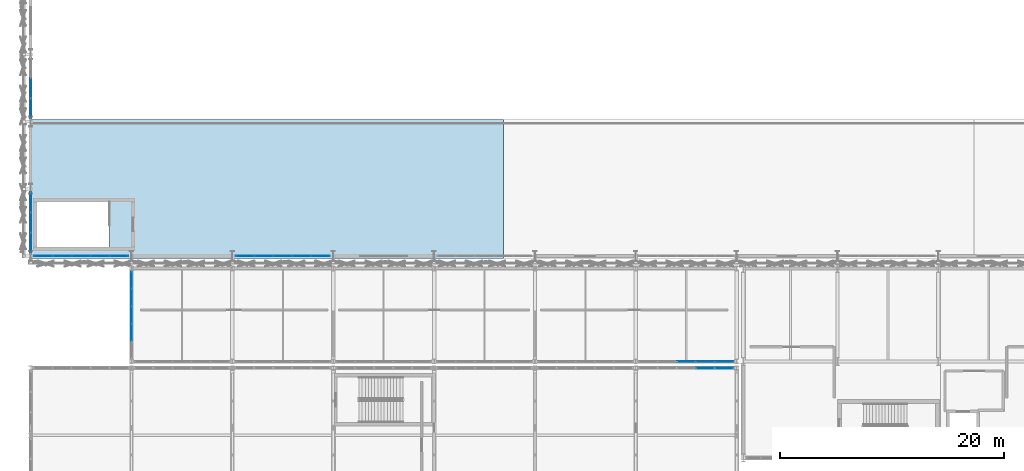
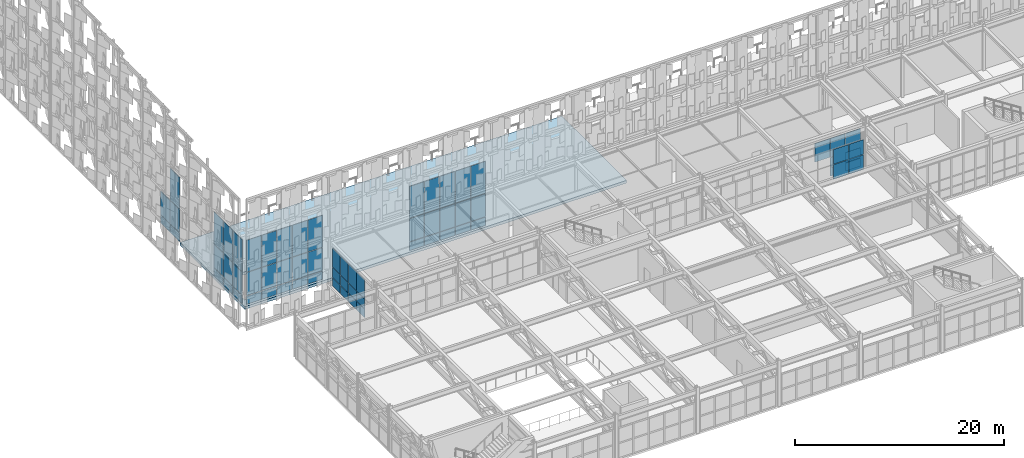
# One storey, part 135 of 210: 67 plates, 2 slabs, 7 elements without a shape of their own.
"""IFC4 building model written with IfcOpenShell, lengths in metres."""

import ifcopenshell
import ifcopenshell.guid

model = None  # the IFC model being written
_history = None  # IfcOwnerHistory: only IFC2X3 demands one
_inside = {}  # id of a spatial element -> (the spatial element, [elements in it])
_under = {}  # id of a project, library or spatial element -> (it, [spatial elements below it])
_declared = {}  # id of a project -> (the project, [libraries it declares])
_typed = {}  # id of a type object -> (the type object, [elements of that type])
_made_of = {}  # id of a material, layer set ... -> (it, [elements and type objects made of it])


def new_model(schema):
    """Start an empty IFC model of exactly this schema.

    Asked for "IFC4X3", IfcOpenShell would pick the latest addendum, in which some entities
    have other attributes; the version numbers below select the first issue.
    IFC2X3 requires an IfcOwnerHistory on every rooted entity: one is made here for all.
    """
    global model, _history
    if schema == "IFC4X3":
        model = ifcopenshell.file(schema_version=(4, 3, 0, 0))
    else:
        model = ifcopenshell.file(schema=schema)
    _inside.clear()
    _under.clear()
    _declared.clear()
    _typed.clear()
    _made_of.clear()
    _history = None
    if model.schema == "IFC2X3":
        org = make("IfcOrganization", Name="unknown")
        user = make(
            "IfcPersonAndOrganization",
            ThePerson=make("IfcPerson", FamilyName="unknown"),
            TheOrganization=org,
        )
        app = make(
            "IfcApplication",
            ApplicationDeveloper=org,
            Version="unknown",
            ApplicationFullName="unknown",
            ApplicationIdentifier="unknown",
        )
        _history = make(
            "IfcOwnerHistory",
            OwningUser=user,
            OwningApplication=app,
            ChangeAction="ADDED",
            CreationDate=0,
        )
    return model


def make(cls, **values):
    """One entity of the class cls with the attributes given. An attribute that is None is left unset."""
    return model.create_entity(
        cls, **{name: value for name, value in values.items() if value is not None}
    )


def rooted(cls, **values):
    """An entity with a GlobalId (a new one), such as an element, a storey or a relation."""
    return make(cls, GlobalId=ifcopenshell.guid.new(), OwnerHistory=_history, **values)


def si_unit(unit_type, name, prefix=None):
    """IfcSIUnit, for example si_unit("LENGTHUNIT", "METRE", prefix="MILLI")."""
    return make("IfcSIUnit", UnitType=unit_type, Prefix=prefix, Name=name)


def assignment(units):
    """IfcUnitAssignment: the units of a project."""
    return None if units is None else make("IfcUnitAssignment", Units=units)


def point(xyz):
    """IfcCartesianPoint."""
    return None if xyz is None else make("IfcCartesianPoint", Coordinates=xyz)


def direction(xyz):
    """IfcDirection."""
    return None if xyz is None else make("IfcDirection", DirectionRatios=xyz)


def frame(location, z_axis=None, x_axis=None):
    """IfcAxis2Placement3D, a coordinate frame: its origin and axes. An axis left out is left unset."""
    return make(
        "IfcAxis2Placement3D",
        Location=point(location),
        Axis=direction(z_axis),
        RefDirection=direction(x_axis),
    )


def frame_2d(location, x_axis=None):
    """IfcAxis2Placement2D, a coordinate frame in the plane: its origin and x axis."""
    return make(
        "IfcAxis2Placement2D", Location=point(location), RefDirection=direction(x_axis)
    )


def origin():
    """The frame at (0, 0, 0) with its axes left unset."""
    return frame((0.0, 0.0, 0.0))


def origin_2d():
    """The frame at (0, 0) in the plane with its x axis left unset."""
    return frame_2d((0.0, 0.0))


def place(relative_to, where):
    """IfcLocalPlacement: puts the frame where relative to a parent placement (None: the world)."""
    return make(
        "IfcLocalPlacement", PlacementRelTo=relative_to, RelativePlacement=where
    )


def context(
    kind, dimensions, precision=None, world=None, true_north=None, identifier=None
):
    """IfcGeometricRepresentationContext, for example the 3D "Model" context."""
    return make(
        "IfcGeometricRepresentationContext",
        ContextIdentifier=identifier,
        ContextType=kind,
        CoordinateSpaceDimension=dimensions,
        Precision=precision,
        WorldCoordinateSystem=world,
        TrueNorth=true_north,
    )


def subcontext(parent, identifier, kind, view, scale=None):
    """IfcGeometricRepresentationSubContext, for example "Body" below "Model"."""
    return make(
        "IfcGeometricRepresentationSubContext",
        ContextIdentifier=identifier,
        ContextType=kind,
        ParentContext=parent,
        TargetScale=scale,
        TargetView=view,
    )


def project(units=None, contexts=None):
    """IfcProject with its units and contexts."""
    return rooted(
        "IfcProject",
        Name="project",
        RepresentationContexts=contexts,
        UnitsInContext=assignment(units),
    )


def spatial(cls, under=None, at=None, **own):
    """A site, building, storey or space (cls), placed at a placement, below another one or the project."""
    s = rooted(cls, ObjectPlacement=at, **own)
    if under is not None:
        _under.setdefault(under.id(), (under, []))[1].append(s)
    return s


def polyline(points):
    """IfcPolyline through the points."""
    return make("IfcPolyline", Points=[point(p) for p in points])


def profile(cls, at=None, kind="AREA", **sizes):
    """A parametric profile (cls). Its sizes go by their IFC names, for example OverallWidth=200.0."""
    return make(cls, ProfileType=kind, Position=at, **sizes)


def rectangle(**sizes):
    """IfcRectangleProfileDef."""
    return profile("IfcRectangleProfileDef", **sizes)


def outline(outer, holes=None, kind="AREA"):
    """IfcArbitraryClosedProfileDef: a profile drawn as a closed curve; with holes, ...WithVoids."""
    if holes is None:
        return make("IfcArbitraryClosedProfileDef", ProfileType=kind, OuterCurve=outer)
    return make(
        "IfcArbitraryProfileDefWithVoids",
        ProfileType=kind,
        OuterCurve=outer,
        InnerCurves=holes,
    )


def extrude(swept, where, along, depth):
    """IfcExtrudedAreaSolid: the profile swept, set in the frame where, extruded along a direction by depth."""
    return make(
        "IfcExtrudedAreaSolid",
        SweptArea=swept,
        Position=where,
        ExtrudedDirection=direction(along),
        Depth=depth,
    )


def shape(context_of_items, identifier, shape_type, items):
    """IfcShapeRepresentation: the items that make up one representation, for example the "Body"."""
    return make(
        "IfcShapeRepresentation",
        ContextOfItems=context_of_items,
        RepresentationIdentifier=identifier,
        RepresentationType=shape_type,
        Items=items,
    )


def material(Name=None, Category=None):
    """IfcMaterial."""
    return make("IfcMaterial", Name=Name, Category=Category)


def layer(
    of_material, thickness, ventilated=None, Name=None, Category=None, Priority=None
):
    """IfcMaterialLayer: one layer of a wall or slab, of a material (None: an air gap)."""
    return make(
        "IfcMaterialLayer",
        Material=of_material,
        LayerThickness=thickness,
        IsVentilated=ventilated,
        Name=Name,
        Category=Category,
        Priority=Priority,
    )


def layer_set(layers, Name=None):
    """IfcMaterialLayerSet."""
    return make("IfcMaterialLayerSet", MaterialLayers=layers, LayerSetName=Name)


def made_of(thing, what):
    """Note that an element or type object is made of a material, layer set ...; save() writes the relation."""
    if what is not None:
        _made_of.setdefault(what.id(), (what, []))[1].append(thing)
    return thing


def type_object(cls, material=None, **own):
    """A type object (cls), such as IfcWallType, which elements share."""
    return made_of(rooted(cls, **own), material)


def element(
    cls,
    number,
    at=None,
    inside=None,
    cuts=None,
    type_object=None,
    material=None,
    context=None,
    identifier="Body",
    shape_type=None,
    held_by="IfcProductDefinitionShape",
    body=None,
    shapes=None,
    **own,
):
    """One element of the class cls, such as IfcWall. Its Tag is "e" and its number.

    at: its placement. inside: the storey or other place that contains it. cuts: it is an
    opening in that element (IfcRelVoidsElement). A single representation is given by context,
    identifier, shape_type and body (its items); several are given by shapes. held_by: the class
    of the entity that holds the representations. save() writes the other relations.
    """
    e = rooted(cls, Tag="e%d" % number, ObjectPlacement=at, **own)
    if body is not None:
        shapes = [shape(context, identifier, shape_type, body)]
    if shapes is not None:
        e.Representation = make(held_by, Representations=shapes)
    if inside is not None:
        _inside.setdefault(inside.id(), (inside, []))[1].append(e)
    if cuts is not None:
        rooted(
            "IfcRelVoidsElement", RelatingBuildingElement=cuts, RelatedOpeningElement=e
        )
    if type_object is not None:
        _typed.setdefault(type_object.id(), (type_object, []))[1].append(e)
    return made_of(e, material)


def aggregate(whole, parts):
    """IfcRelAggregates: a whole, such as a stair, and the parts it consists of."""
    return rooted("IfcRelAggregates", RelatingObject=whole, RelatedObjects=parts)


def save(model, path):
    """Write the relations noted so far, then the file.

    IfcRelAggregates (storeys below a building ...), IfcRelContainedInSpatialStructure (elements
    in a storey), IfcRelDefinesByType, IfcRelAssociatesMaterial and IfcRelDeclares: one each for
    every whole, place, type object, material and project.
    """
    for whole, parts in _under.values():
        aggregate(whole, parts)
    for where, things in _inside.values():
        rooted(
            "IfcRelContainedInSpatialStructure",
            RelatedElements=things,
            RelatingStructure=where,
        )
    for kind, things in _typed.values():
        rooted("IfcRelDefinesByType", RelatedObjects=things, RelatingType=kind)
    for what, things in _made_of.values():
        rooted("IfcRelAssociatesMaterial", RelatedObjects=things, RelatingMaterial=what)
    for by, libraries in _declared.values():
        rooted("IfcRelDeclares", RelatingContext=by, RelatedDefinitions=libraries)
    model.write(path)


model = new_model("IFC4")

# Units and contexts
model_context = context("Model", 3, precision=1e-05, world=origin(), true_north=direction((0.0, 1.0)))
body_context = subcontext(model_context, "Body", "Model", "MODEL_VIEW")
ifc_project = project(units=[si_unit("LENGTHUNIT", "METRE"), si_unit("AREAUNIT", "SQUARE_METRE"), si_unit("VOLUMEUNIT", "CUBIC_METRE"), si_unit("PLANEANGLEUNIT", "RADIAN"), si_unit("MASSUNIT", "GRAM", prefix="KILO")], contexts=[model_context])

# Site, building, storey
site_placement = place(None, origin())
site = spatial("IfcSite", under=ifc_project, at=site_placement, CompositionType="ELEMENT")
building_placement = place(site_placement, origin())
building = spatial("IfcBuilding", under=site, at=building_placement, Name="Kaldris Quays Convention Centre", CompositionType="ELEMENT")
storey_placement = place(building_placement, frame((0.0, 0.0, 6.0)))
storey = spatial("IfcBuildingStorey", under=building, at=storey_placement, Name="L01", CompositionType="ELEMENT", Elevation=6.0)

# Curtain wall, plates
ifc_material_1 = material(Name="Anodized aluminium AW-6060 and triple glazing", Category="aluminium")
curtain_wall_type_1 = type_object("IfcCurtainWallType", Name="UNITISED CURTAIN WALL CW03", PredefinedType="NOTDEFINED", material=ifc_material_1)
curtain_wall_1_placement = place(storey_placement, origin())
curtain_wall_1 = element("IfcCurtainWall", 1, at=curtain_wall_1_placement, inside=storey, type_object=curtain_wall_type_1, Name="L01 Unitised Curtain Wall CW03 1", PredefinedType="NOTDEFINED")
ifc_material_2 = material(Name="Triple low-E insulated glazing", Category="glass")
plate_type_1 = type_object("IfcPlateType", Name="CURTAIN GLAZING PANEL CWP1", PredefinedType="CURTAIN_PANEL", material=ifc_material_2)
plate_1_placement = place(storey_placement, frame((21.114990234375, 56.0, 0.06005859375), z_axis=(0.0, 0.0, 1.0), x_axis=(1.0, 0.0, 0.0)))
plate_1 = element("IfcPlate", 2, at=plate_1_placement, type_object=plate_type_1, Name="CW03 panel 1.1", PredefinedType="CURTAIN_PANEL", context=body_context, shape_type="SweptSolid", body=[
    extrude(rectangle(XDim=1.610107421875, YDim=0.029052734375, at=origin_2d()), origin(), (0.0, 0.0, 1.0), 0.9599609375),
])
plate_2_placement = place(storey_placement, frame((21.114990234375, 56.0, 1.080078125), z_axis=(0.0, 0.0, 1.0), x_axis=(1.0, 0.0, 0.0)))
plate_2 = element("IfcPlate", 3, at=plate_2_placement, type_object=plate_type_1, Name="CW03 panel 1.2", PredefinedType="CURTAIN_PANEL", context=body_context, shape_type="SweptSolid", body=[
    extrude(rectangle(XDim=1.610107421875, YDim=0.029052734375, at=origin_2d()), origin(), (0.0, 0.0, 1.0), 2.68994140625),
])
plate_3_placement = place(storey_placement, frame((21.114990234375, 56.0, 3.830078125), z_axis=(0.0, 0.0, 1.0), x_axis=(1.0, 0.0, 0.0)))
plate_3 = element("IfcPlate", 4, at=plate_3_placement, type_object=plate_type_1, Name="CW03 panel 1.3", PredefinedType="CURTAIN_PANEL", context=body_context, shape_type="SweptSolid", body=[
    extrude(rectangle(XDim=1.610107421875, YDim=0.029052734375, at=origin_2d()), origin(), (0.0, 0.0, 1.0), 3.7099609375),
])
plate_4_placement = place(storey_placement, frame((22.800048828125, 56.0, 0.06005859375), z_axis=(0.0, 0.0, 1.0), x_axis=(1.0, 0.0, 0.0)))
plate_4 = element("IfcPlate", 5, at=plate_4_placement, type_object=plate_type_1, Name="CW03 panel 2.1", PredefinedType="CURTAIN_PANEL", context=body_context, shape_type="SweptSolid", body=[
    extrude(rectangle(XDim=1.639892578125, YDim=0.029052734375, at=origin_2d()), origin(), (0.0, 0.0, 1.0), 0.9599609375),
])
plate_5_placement = place(storey_placement, frame((22.800048828125, 56.0, 1.080078125), z_axis=(0.0, 0.0, 1.0), x_axis=(1.0, 0.0, 0.0)))
plate_5 = element("IfcPlate", 6, at=plate_5_placement, type_object=plate_type_1, Name="CW03 panel 2.2", PredefinedType="CURTAIN_PANEL", context=body_context, shape_type="SweptSolid", body=[
    extrude(rectangle(XDim=1.639892578125, YDim=0.029052734375, at=origin_2d()), origin(), (0.0, 0.0, 1.0), 2.68994140625),
])
plate_6_placement = place(storey_placement, frame((22.800048828125, 56.0, 3.830078125), z_axis=(0.0, 0.0, 1.0), x_axis=(1.0, 0.0, 0.0)))
plate_6 = element("IfcPlate", 7, at=plate_6_placement, type_object=plate_type_1, Name="CW03 panel 2.3", PredefinedType="CURTAIN_PANEL", context=body_context, shape_type="SweptSolid", body=[
    extrude(rectangle(XDim=1.639892578125, YDim=0.029052734375, at=origin_2d()), origin(), (0.0, 0.0, 1.0), 3.7099609375),
])
plate_7_placement = place(storey_placement, frame((24.5, 56.0, 0.06005859375), z_axis=(0.0, 0.0, 1.0), x_axis=(1.0, 0.0, 0.0)))
plate_7 = element("IfcPlate", 8, at=plate_7_placement, type_object=plate_type_1, Name="CW03 panel 3.1", PredefinedType="CURTAIN_PANEL", context=body_context, shape_type="SweptSolid", body=[
    extrude(rectangle(XDim=1.639892578125, YDim=0.029052734375, at=origin_2d()), origin(), (0.0, 0.0, 1.0), 0.9599609375),
])
plate_8_placement = place(storey_placement, frame((24.5, 56.0, 1.080078125), z_axis=(0.0, 0.0, 1.0), x_axis=(1.0, 0.0, 0.0)))
plate_8 = element("IfcPlate", 9, at=plate_8_placement, type_object=plate_type_1, Name="CW03 panel 3.2", PredefinedType="CURTAIN_PANEL", context=body_context, shape_type="SweptSolid", body=[
    extrude(rectangle(XDim=1.639892578125, YDim=0.029052734375, at=origin_2d()), origin(), (0.0, 0.0, 1.0), 2.68994140625),
])
plate_9_placement = place(storey_placement, frame((24.5, 56.0, 3.830078125), z_axis=(0.0, 0.0, 1.0), x_axis=(1.0, 0.0, 0.0)))
plate_9 = element("IfcPlate", 10, at=plate_9_placement, type_object=plate_type_1, Name="CW03 panel 3.3", PredefinedType="CURTAIN_PANEL", context=body_context, shape_type="SweptSolid", body=[
    extrude(rectangle(XDim=1.639892578125, YDim=0.029052734375, at=origin_2d()), origin(), (0.0, 0.0, 1.0), 3.7099609375),
])
plate_10_placement = place(storey_placement, frame((26.199951171875, 56.0, 0.06005859375), z_axis=(0.0, 0.0, 1.0), x_axis=(1.0, 0.0, 0.0)))
plate_10 = element("IfcPlate", 11, at=plate_10_placement, type_object=plate_type_1, Name="CW03 panel 4.1", PredefinedType="CURTAIN_PANEL", context=body_context, shape_type="SweptSolid", body=[
    extrude(rectangle(XDim=1.639892578125, YDim=0.029052734375, at=origin_2d()), origin(), (0.0, 0.0, 1.0), 0.9599609375),
])
plate_11_placement = place(storey_placement, frame((26.199951171875, 56.0, 1.080078125), z_axis=(0.0, 0.0, 1.0), x_axis=(1.0, 0.0, 0.0)))
plate_11 = element("IfcPlate", 12, at=plate_11_placement, type_object=plate_type_1, Name="CW03 panel 4.2", PredefinedType="CURTAIN_PANEL", context=body_context, shape_type="SweptSolid", body=[
    extrude(rectangle(XDim=1.639892578125, YDim=0.029052734375, at=origin_2d()), origin(), (0.0, 0.0, 1.0), 2.68994140625),
])
plate_12_placement = place(storey_placement, frame((26.199951171875, 56.0, 3.830078125), z_axis=(0.0, 0.0, 1.0), x_axis=(1.0, 0.0, 0.0)))
plate_12 = element("IfcPlate", 13, at=plate_12_placement, type_object=plate_type_1, Name="CW03 panel 4.3", PredefinedType="CURTAIN_PANEL", context=body_context, shape_type="SweptSolid", body=[
    extrude(rectangle(XDim=1.639892578125, YDim=0.029052734375, at=origin_2d()), origin(), (0.0, 0.0, 1.0), 3.7099609375),
])
plate_13_placement = place(storey_placement, frame((27.885009765625, 56.0, 0.06005859375), z_axis=(0.0, 0.0, 1.0), x_axis=(1.0, 0.0, 0.0)))
plate_13 = element("IfcPlate", 14, at=plate_13_placement, type_object=plate_type_1, Name="CW03 panel 5.1", PredefinedType="CURTAIN_PANEL", context=body_context, shape_type="SweptSolid", body=[
    extrude(rectangle(XDim=1.610107421875, YDim=0.029052734375, at=origin_2d()), origin(), (0.0, 0.0, 1.0), 0.9599609375),
])
plate_14_placement = place(storey_placement, frame((27.885009765625, 56.0, 1.080078125), z_axis=(0.0, 0.0, 1.0), x_axis=(1.0, 0.0, 0.0)))
plate_14 = element("IfcPlate", 15, at=plate_14_placement, type_object=plate_type_1, Name="CW03 panel 5.2", PredefinedType="CURTAIN_PANEL", context=body_context, shape_type="SweptSolid", body=[
    extrude(rectangle(XDim=1.610107421875, YDim=0.029052734375, at=origin_2d()), origin(), (0.0, 0.0, 1.0), 2.68994140625),
])
plate_15_placement = place(storey_placement, frame((27.885009765625, 56.0, 3.830078125), z_axis=(0.0, 0.0, 1.0), x_axis=(1.0, 0.0, 0.0)))
plate_15 = element("IfcPlate", 16, at=plate_15_placement, type_object=plate_type_1, Name="CW03 panel 5.3", PredefinedType="CURTAIN_PANEL", context=body_context, shape_type="SweptSolid", body=[
    extrude(rectangle(XDim=1.610107421875, YDim=0.029052734375, at=origin_2d()), origin(), (0.0, 0.0, 1.0), 3.7099609375),
])
aggregate(curtain_wall_1, [plate_1, plate_2, plate_3, plate_4, plate_5, plate_6, plate_7, plate_8, plate_9, plate_10, plate_11, plate_12, plate_13, plate_14, plate_15])

curtain_wall_2_placement = place(storey_placement, origin())
curtain_wall_2 = element("IfcCurtainWall", 17, at=curtain_wall_2_placement, inside=storey, type_object=curtain_wall_type_1, Name="L01 Unitised Curtain Wall CW03 3", PredefinedType="NOTDEFINED")
plate_type_2 = type_object("IfcPlateType", Name="CURTAIN GLAZING PANEL CWP3", PredefinedType="CURTAIN_PANEL", material=ifc_material_2)
plate_16_placement = place(storey_placement, frame((39.114990234375, 56.0, 0.06005859375), z_axis=(0.0, 0.0, 1.0), x_axis=(1.0, 0.0, 0.0)))
plate_16 = element("IfcPlate", 18, at=plate_16_placement, type_object=plate_type_2, Name="CW03 panel 1.1", PredefinedType="CURTAIN_PANEL", context=body_context, shape_type="SweptSolid", body=[
    extrude(rectangle(XDim=1.610107421875, YDim=0.0390625, at=origin_2d()), origin(), (0.0, 0.0, 1.0), 0.9599609375),
])
plate_17_placement = place(storey_placement, frame((39.114990234375, 56.0, 1.080078125), z_axis=(0.0, 0.0, 1.0), x_axis=(1.0, 0.0, 0.0)))
plate_17 = element("IfcPlate", 19, at=plate_17_placement, type_object=plate_type_2, Name="CW03 panel 1.2", PredefinedType="CURTAIN_PANEL", context=body_context, shape_type="SweptSolid", body=[
    extrude(rectangle(XDim=1.610107421875, YDim=0.0390625, at=origin_2d()), origin(), (0.0, 0.0, 1.0), 2.68994140625),
])
plate_18_placement = place(storey_placement, frame((39.114990234375, 56.0, 3.830078125), z_axis=(0.0, 0.0, 1.0), x_axis=(1.0, 0.0, 0.0)))
plate_18 = element("IfcPlate", 20, at=plate_18_placement, type_object=plate_type_2, Name="CW03 panel 1.3", PredefinedType="CURTAIN_PANEL", context=body_context, shape_type="SweptSolid", body=[
    extrude(rectangle(XDim=1.610107421875, YDim=0.0390625, at=origin_2d()), origin(), (0.0, 0.0, 1.0), 3.7099609375),
])
plate_19_placement = place(storey_placement, frame((40.800048828125, 56.0, 0.06005859375), z_axis=(0.0, 0.0, 1.0), x_axis=(1.0, 0.0, 0.0)))
plate_19 = element("IfcPlate", 21, at=plate_19_placement, type_object=plate_type_2, Name="CW03 panel 2.1", PredefinedType="CURTAIN_PANEL", context=body_context, shape_type="SweptSolid", body=[
    extrude(rectangle(XDim=1.639892578125, YDim=0.0390625, at=origin_2d()), origin(), (0.0, 0.0, 1.0), 0.9599609375),
])
plate_20_placement = place(storey_placement, frame((40.800048828125, 56.0, 1.080078125), z_axis=(0.0, 0.0, 1.0), x_axis=(1.0, 0.0, 0.0)))
plate_20 = element("IfcPlate", 22, at=plate_20_placement, type_object=plate_type_2, Name="CW03 panel 2.2", PredefinedType="CURTAIN_PANEL", context=body_context, shape_type="SweptSolid", body=[
    extrude(rectangle(XDim=1.639892578125, YDim=0.0390625, at=origin_2d()), origin(), (0.0, 0.0, 1.0), 2.68994140625),
])
plate_21_placement = place(storey_placement, frame((40.800048828125, 56.0, 3.830078125), z_axis=(0.0, 0.0, 1.0), x_axis=(1.0, 0.0, 0.0)))
plate_21 = element("IfcPlate", 23, at=plate_21_placement, type_object=plate_type_2, Name="CW03 panel 2.3", PredefinedType="CURTAIN_PANEL", context=body_context, shape_type="SweptSolid", body=[
    extrude(rectangle(XDim=1.639892578125, YDim=0.0390625, at=origin_2d()), origin(), (0.0, 0.0, 1.0), 3.7099609375),
])
plate_22_placement = place(storey_placement, frame((42.5, 56.0, 0.06005859375), z_axis=(0.0, 0.0, 1.0), x_axis=(1.0, 0.0, 0.0)))
plate_22 = element("IfcPlate", 24, at=plate_22_placement, type_object=plate_type_2, Name="CW03 panel 3.1", PredefinedType="CURTAIN_PANEL", context=body_context, shape_type="SweptSolid", body=[
    extrude(rectangle(XDim=1.639892578125, YDim=0.0390625, at=origin_2d()), origin(), (0.0, 0.0, 1.0), 0.9599609375),
])
plate_23_placement = place(storey_placement, frame((42.5, 56.0, 1.080078125), z_axis=(0.0, 0.0, 1.0), x_axis=(1.0, 0.0, 0.0)))
plate_23 = element("IfcPlate", 25, at=plate_23_placement, type_object=plate_type_2, Name="CW03 panel 3.2", PredefinedType="CURTAIN_PANEL", context=body_context, shape_type="SweptSolid", body=[
    extrude(rectangle(XDim=1.639892578125, YDim=0.0390625, at=origin_2d()), origin(), (0.0, 0.0, 1.0), 2.68994140625),
])
plate_24_placement = place(storey_placement, frame((42.5, 56.0, 3.830078125), z_axis=(0.0, 0.0, 1.0), x_axis=(1.0, 0.0, 0.0)))
plate_24 = element("IfcPlate", 26, at=plate_24_placement, type_object=plate_type_2, Name="CW03 panel 3.3", PredefinedType="CURTAIN_PANEL", context=body_context, shape_type="SweptSolid", body=[
    extrude(rectangle(XDim=1.639892578125, YDim=0.0390625, at=origin_2d()), origin(), (0.0, 0.0, 1.0), 3.7099609375),
])
plate_25_placement = place(storey_placement, frame((44.199951171875, 56.0, 0.06005859375), z_axis=(0.0, 0.0, 1.0), x_axis=(1.0, 0.0, 0.0)))
plate_25 = element("IfcPlate", 27, at=plate_25_placement, type_object=plate_type_2, Name="CW03 panel 4.1", PredefinedType="CURTAIN_PANEL", context=body_context, shape_type="SweptSolid", body=[
    extrude(rectangle(XDim=1.639892578125, YDim=0.0390625, at=origin_2d()), origin(), (0.0, 0.0, 1.0), 0.9599609375),
])
plate_26_placement = place(storey_placement, frame((44.199951171875, 56.0, 1.080078125), z_axis=(0.0, 0.0, 1.0), x_axis=(1.0, 0.0, 0.0)))
plate_26 = element("IfcPlate", 28, at=plate_26_placement, type_object=plate_type_2, Name="CW03 panel 4.2", PredefinedType="CURTAIN_PANEL", context=body_context, shape_type="SweptSolid", body=[
    extrude(rectangle(XDim=1.639892578125, YDim=0.0390625, at=origin_2d()), origin(), (0.0, 0.0, 1.0), 2.68994140625),
])
plate_27_placement = place(storey_placement, frame((44.199951171875, 56.0, 3.830078125), z_axis=(0.0, 0.0, 1.0), x_axis=(1.0, 0.0, 0.0)))
plate_27 = element("IfcPlate", 29, at=plate_27_placement, type_object=plate_type_2, Name="CW03 panel 4.3", PredefinedType="CURTAIN_PANEL", context=body_context, shape_type="SweptSolid", body=[
    extrude(rectangle(XDim=1.639892578125, YDim=0.0390625, at=origin_2d()), origin(), (0.0, 0.0, 1.0), 3.7099609375),
])
plate_28_placement = place(storey_placement, frame((45.885009765625, 56.0, 0.06005859375), z_axis=(0.0, 0.0, 1.0), x_axis=(1.0, 0.0, 0.0)))
plate_28 = element("IfcPlate", 30, at=plate_28_placement, type_object=plate_type_2, Name="CW03 panel 5.1", PredefinedType="CURTAIN_PANEL", context=body_context, shape_type="SweptSolid", body=[
    extrude(rectangle(XDim=1.610107421875, YDim=0.0390625, at=origin_2d()), origin(), (0.0, 0.0, 1.0), 0.9599609375),
])
plate_29_placement = place(storey_placement, frame((45.885009765625, 56.0, 1.080078125), z_axis=(0.0, 0.0, 1.0), x_axis=(1.0, 0.0, 0.0)))
plate_29 = element("IfcPlate", 31, at=plate_29_placement, type_object=plate_type_2, Name="CW03 panel 5.2", PredefinedType="CURTAIN_PANEL", context=body_context, shape_type="SweptSolid", body=[
    extrude(rectangle(XDim=1.610107421875, YDim=0.0390625, at=origin_2d()), origin(), (0.0, 0.0, 1.0), 2.68994140625),
])
plate_30_placement = place(storey_placement, frame((45.885009765625, 56.0, 3.830078125), z_axis=(0.0, 0.0, 1.0), x_axis=(1.0, 0.0, 0.0)))
plate_30 = element("IfcPlate", 32, at=plate_30_placement, type_object=plate_type_2, Name="CW03 panel 5.3", PredefinedType="CURTAIN_PANEL", context=body_context, shape_type="SweptSolid", body=[
    extrude(rectangle(XDim=1.610107421875, YDim=0.0390625, at=origin_2d()), origin(), (0.0, 0.0, 1.0), 3.7099609375),
])
aggregate(curtain_wall_2, [plate_16, plate_17, plate_18, plate_19, plate_20, plate_21, plate_22, plate_23, plate_24, plate_25, plate_26, plate_27, plate_28, plate_29, plate_30])

curtain_wall_3_placement = place(storey_placement, origin())
curtain_wall_3 = element("IfcCurtainWall", 33, at=curtain_wall_3_placement, inside=storey, type_object=curtain_wall_type_1, Name="L01 Unitised Curtain Wall CW03 15", PredefinedType="NOTDEFINED")
plate_type_3 = type_object("IfcPlateType", Name="CURTAIN GLAZING PANEL CWP7", PredefinedType="CURTAIN_PANEL", material=ifc_material_2)
plate_31_placement = place(storey_placement, frame((20.0, 57.181640625, 0.06005859375), z_axis=(0.0, 0.0, 1.0), x_axis=(0.0, 1.0, 0.0)))
plate_31 = element("IfcPlate", 34, at=plate_31_placement, type_object=plate_type_3, Name="CW03 panel 1.1", PredefinedType="CURTAIN_PANEL", context=body_context, shape_type="SweptSolid", body=[
    extrude(rectangle(XDim=1.743408203125, YDim=0.05908203125, at=origin_2d()), origin(), (0.0, 0.0, 1.0), 0.9599609375),
])
plate_32_placement = place(storey_placement, frame((20.0, 57.181640625, 1.080078125), z_axis=(0.0, 0.0, 1.0), x_axis=(0.0, 1.0, 0.0)))
plate_32 = element("IfcPlate", 35, at=plate_32_placement, type_object=plate_type_3, Name="CW03 panel 1.2", PredefinedType="CURTAIN_PANEL", context=body_context, shape_type="SweptSolid", body=[
    extrude(rectangle(XDim=1.743408203125, YDim=0.05908203125, at=origin_2d()), origin(), (0.0, 0.0, 1.0), 2.68994140625),
])
plate_33_placement = place(storey_placement, frame((20.0, 57.181640625, 3.830078125), z_axis=(0.0, 0.0, 1.0), x_axis=(0.0, 1.0, 0.0)))
plate_33 = element("IfcPlate", 36, at=plate_33_placement, type_object=plate_type_3, Name="CW03 panel 1.3", PredefinedType="CURTAIN_PANEL", context=body_context, shape_type="SweptSolid", body=[
    extrude(rectangle(XDim=1.743408203125, YDim=0.05908203125, at=origin_2d()), origin(), (0.0, 0.0, 1.0), 3.7099609375),
])
plate_34_placement = place(storey_placement, frame((20.0, 59.0, 0.06005859375), z_axis=(0.0, 0.0, 1.0), x_axis=(0.0, 1.0, 0.0)))
plate_34 = element("IfcPlate", 37, at=plate_34_placement, type_object=plate_type_3, Name="CW03 panel 2.1", PredefinedType="CURTAIN_PANEL", context=body_context, shape_type="SweptSolid", body=[
    extrude(rectangle(XDim=1.7734375, YDim=0.05908203125, at=origin_2d()), origin(), (0.0, 0.0, 1.0), 0.9599609375),
])
plate_35_placement = place(storey_placement, frame((20.0, 59.0, 1.080078125), z_axis=(0.0, 0.0, 1.0), x_axis=(0.0, 1.0, 0.0)))
plate_35 = element("IfcPlate", 38, at=plate_35_placement, type_object=plate_type_3, Name="CW03 panel 2.2", PredefinedType="CURTAIN_PANEL", context=body_context, shape_type="SweptSolid", body=[
    extrude(rectangle(XDim=1.7734375, YDim=0.05908203125, at=origin_2d()), origin(), (0.0, 0.0, 1.0), 2.68994140625),
])
plate_36_placement = place(storey_placement, frame((20.0, 59.0, 3.830078125), z_axis=(0.0, 0.0, 1.0), x_axis=(0.0, 1.0, 0.0)))
plate_36 = element("IfcPlate", 39, at=plate_36_placement, type_object=plate_type_3, Name="CW03 panel 2.3", PredefinedType="CURTAIN_PANEL", context=body_context, shape_type="SweptSolid", body=[
    extrude(rectangle(XDim=1.7734375, YDim=0.05908203125, at=origin_2d()), origin(), (0.0, 0.0, 1.0), 3.7099609375),
])
plate_37_placement = place(storey_placement, frame((20.0, 60.818359375, 0.06005859375), z_axis=(0.0, 0.0, 1.0), x_axis=(0.0, 1.0, 0.0)))
plate_37 = element("IfcPlate", 40, at=plate_37_placement, type_object=plate_type_3, Name="CW03 panel 3.1", PredefinedType="CURTAIN_PANEL", context=body_context, shape_type="SweptSolid", body=[
    extrude(rectangle(XDim=1.743408203125, YDim=0.05908203125, at=origin_2d()), origin(), (0.0, 0.0, 1.0), 0.9599609375),
])
plate_38_placement = place(storey_placement, frame((20.0, 60.818359375, 1.080078125), z_axis=(0.0, 0.0, 1.0), x_axis=(0.0, 1.0, 0.0)))
plate_38 = element("IfcPlate", 41, at=plate_38_placement, type_object=plate_type_3, Name="CW03 panel 3.2", PredefinedType="CURTAIN_PANEL", context=body_context, shape_type="SweptSolid", body=[
    extrude(rectangle(XDim=1.743408203125, YDim=0.05908203125, at=origin_2d()), origin(), (0.0, 0.0, 1.0), 2.68994140625),
])
plate_39_placement = place(storey_placement, frame((20.0, 60.818359375, 3.830078125), z_axis=(0.0, 0.0, 1.0), x_axis=(0.0, 1.0, 0.0)))
plate_39 = element("IfcPlate", 42, at=plate_39_placement, type_object=plate_type_3, Name="CW03 panel 3.3", PredefinedType="CURTAIN_PANEL", context=body_context, shape_type="SweptSolid", body=[
    extrude(rectangle(XDim=1.743408203125, YDim=0.05908203125, at=origin_2d()), origin(), (0.0, 0.0, 1.0), 3.7099609375),
])
aggregate(curtain_wall_3, [plate_31, plate_32, plate_33, plate_34, plate_35, plate_36, plate_37, plate_38, plate_39])

curtain_wall_type_2 = type_object("IfcCurtainWallType", Name="UNITISED CURTAIN WALL CW02", PredefinedType="NOTDEFINED", material=ifc_material_1)
curtain_wall_4_placement = place(storey_placement, origin())
curtain_wall_4 = element("IfcCurtainWall", 43, at=curtain_wall_4_placement, inside=storey, type_object=curtain_wall_type_2, Name="L01 Unitised Curtain Wall CW02 95", PredefinedType="NOTDEFINED")
plate_40_placement = place(storey_placement, frame((78.5, 46.60009765625, 2.2939453125), z_axis=(0.0, 0.0, 1.0), x_axis=(1.0, 0.0, 0.0)))
plate_40 = element("IfcPlate", 44, at=plate_40_placement, type_object=plate_type_3, Name="CW02 panel 3.3", PredefinedType="CURTAIN_PANEL", context=body_context, shape_type="SweptSolid", body=[
    extrude(rectangle(XDim=1.639892578125, YDim=0.05908203125, at=origin_2d()), origin(), (0.0, 0.0, 1.0), 2.174072265625),
])
plate_41_placement = place(storey_placement, frame((80.199951171875, 46.60009765625, 0.06005859375), z_axis=(0.0, 0.0, 1.0), x_axis=(1.0, 0.0, 0.0)))
plate_41 = element("IfcPlate", 45, at=plate_41_placement, type_object=plate_type_3, Name="CW02 panel 4.1", PredefinedType="CURTAIN_PANEL", context=body_context, shape_type="SweptSolid", body=[
    extrude(rectangle(XDim=1.639892578125, YDim=0.05908203125, at=origin_2d()), origin(), (0.0, 0.0, 1.0), 0.9599609375),
])
plate_42_placement = place(storey_placement, frame((80.199951171875, 46.60009765625, 1.080078125), z_axis=(0.0, 0.0, 1.0), x_axis=(1.0, 0.0, 0.0)))
plate_42 = element("IfcPlate", 46, at=plate_42_placement, type_object=plate_type_3, Name="CW02 panel 4.2", PredefinedType="CURTAIN_PANEL", context=body_context, shape_type="SweptSolid", body=[
    extrude(rectangle(XDim=1.639892578125, YDim=0.05908203125, at=origin_2d()), origin(), (0.0, 0.0, 1.0), 1.154052734375),
])
plate_43_placement = place(storey_placement, frame((80.199951171875, 46.60009765625, 2.2939453125), z_axis=(0.0, 0.0, 1.0), x_axis=(1.0, 0.0, 0.0)))
plate_43 = element("IfcPlate", 47, at=plate_43_placement, type_object=plate_type_3, Name="CW02 panel 4.3", PredefinedType="CURTAIN_PANEL", context=body_context, shape_type="SweptSolid", body=[
    extrude(rectangle(XDim=1.639892578125, YDim=0.05908203125, at=origin_2d()), origin(), (0.0, 0.0, 1.0), 2.174072265625),
])
plate_44_placement = place(storey_placement, frame((81.885009765625, 46.60009765625, 0.06005859375), z_axis=(0.0, 0.0, 1.0), x_axis=(1.0, 0.0, 0.0)))
plate_44 = element("IfcPlate", 48, at=plate_44_placement, type_object=plate_type_3, Name="CW02 panel 5.1", PredefinedType="CURTAIN_PANEL", context=body_context, shape_type="SweptSolid", body=[
    extrude(rectangle(XDim=1.610107421875, YDim=0.05908203125, at=origin_2d()), origin(), (0.0, 0.0, 1.0), 0.9599609375),
])
plate_45_placement = place(storey_placement, frame((81.885009765625, 46.60009765625, 1.080078125), z_axis=(0.0, 0.0, 1.0), x_axis=(1.0, 0.0, 0.0)))
plate_45 = element("IfcPlate", 49, at=plate_45_placement, type_object=plate_type_3, Name="CW02 panel 5.2", PredefinedType="CURTAIN_PANEL", context=body_context, shape_type="SweptSolid", body=[
    extrude(rectangle(XDim=1.610107421875, YDim=0.05908203125, at=origin_2d()), origin(), (0.0, 0.0, 1.0), 1.154052734375),
])
plate_46_placement = place(storey_placement, frame((81.885009765625, 46.60009765625, 2.2939453125), z_axis=(0.0, 0.0, 1.0), x_axis=(1.0, 0.0, 0.0)))
plate_46 = element("IfcPlate", 50, at=plate_46_placement, type_object=plate_type_3, Name="CW02 panel 5.3", PredefinedType="CURTAIN_PANEL", context=body_context, shape_type="SweptSolid", body=[
    extrude(rectangle(XDim=1.610107421875, YDim=0.05908203125, at=origin_2d()), origin(), (0.0, 0.0, 1.0), 2.174072265625),
])
aggregate(curtain_wall_4, [plate_40, plate_41, plate_42, plate_43, plate_44, plate_45, plate_46])

curtain_wall_5_placement = place(storey_placement, origin())
curtain_wall_5 = element("IfcCurtainWall", 51, at=curtain_wall_5_placement, inside=storey, type_object=curtain_wall_type_1, Name="L01 Unitised Curtain Wall CW03 16", PredefinedType="NOTDEFINED")
plate_type_4 = type_object("IfcPlateType", Name="CURTAIN GLAZING PANEL CWP8", PredefinedType="CURTAIN_PANEL", material=ifc_material_2)
plate_47_placement = place(storey_placement, frame((20.0, 69.181640625, 0.06005859375), z_axis=(0.0, 0.0, 1.0), x_axis=(0.0, 1.0, 0.0)))
plate_47 = element("IfcPlate", 52, at=plate_47_placement, type_object=plate_type_4, Name="CW03 panel 1.1", PredefinedType="CURTAIN_PANEL", context=body_context, shape_type="SweptSolid", body=[
    extrude(rectangle(XDim=1.743408203125, YDim=0.06396484375, at=origin_2d()), origin(), (0.0, 0.0, 1.0), 0.9599609375),
])
plate_48_placement = place(storey_placement, frame((20.0, 69.181640625, 1.080078125), z_axis=(0.0, 0.0, 1.0), x_axis=(0.0, 1.0, 0.0)))
plate_48 = element("IfcPlate", 53, at=plate_48_placement, type_object=plate_type_4, Name="CW03 panel 1.2", PredefinedType="CURTAIN_PANEL", context=body_context, shape_type="SweptSolid", body=[
    extrude(rectangle(XDim=1.743408203125, YDim=0.06396484375, at=origin_2d()), origin(), (0.0, 0.0, 1.0), 2.68994140625),
])
plate_49_placement = place(storey_placement, frame((20.0, 69.181640625, 3.830078125), z_axis=(0.0, 0.0, 1.0), x_axis=(0.0, 1.0, 0.0)))
plate_49 = element("IfcPlate", 54, at=plate_49_placement, type_object=plate_type_4, Name="CW03 panel 1.3", PredefinedType="CURTAIN_PANEL", context=body_context, shape_type="SweptSolid", body=[
    extrude(rectangle(XDim=1.743408203125, YDim=0.06396484375, at=origin_2d()), origin(), (0.0, 0.0, 1.0), 3.7099609375),
])
plate_50_placement = place(storey_placement, frame((20.0, 71.0, 0.06005859375), z_axis=(0.0, 0.0, 1.0), x_axis=(0.0, 1.0, 0.0)))
plate_50 = element("IfcPlate", 55, at=plate_50_placement, type_object=plate_type_4, Name="CW03 panel 2.1", PredefinedType="CURTAIN_PANEL", context=body_context, shape_type="SweptSolid", body=[
    extrude(rectangle(XDim=1.7734375, YDim=0.06396484375, at=origin_2d()), origin(), (0.0, 0.0, 1.0), 0.9599609375),
])
plate_51_placement = place(storey_placement, frame((20.0, 71.0, 1.080078125), z_axis=(0.0, 0.0, 1.0), x_axis=(0.0, 1.0, 0.0)))
plate_51 = element("IfcPlate", 56, at=plate_51_placement, type_object=plate_type_4, Name="CW03 panel 2.2", PredefinedType="CURTAIN_PANEL", context=body_context, shape_type="SweptSolid", body=[
    extrude(rectangle(XDim=1.7734375, YDim=0.06396484375, at=origin_2d()), origin(), (0.0, 0.0, 1.0), 2.68994140625),
])
aggregate(curtain_wall_5, [plate_47, plate_48, plate_49, plate_50, plate_51])

curtain_wall_type_3 = type_object("IfcCurtainWallType", Name="UNITISED CURTAIN WALL CW05", PredefinedType="NOTDEFINED", material=ifc_material_1)
curtain_wall_6_placement = place(storey_placement, origin())
curtain_wall_6 = element("IfcCurtainWall", 57, at=curtain_wall_6_placement, inside=storey, type_object=curtain_wall_type_3, Name="L01 Unitised Curtain Wall CW05 72", PredefinedType="NOTDEFINED")
plate_52_placement = place(storey_placement, frame((80.199951171875, 46.0, 0.06005859375), z_axis=(0.0, 0.0, 1.0), x_axis=(1.0, 0.0, 0.0)))
plate_52 = element("IfcPlate", 58, at=plate_52_placement, type_object=plate_type_4, Name="CW05 panel 4.1", PredefinedType="CURTAIN_PANEL", context=body_context, shape_type="SweptSolid", body=[
    extrude(rectangle(XDim=1.639892578125, YDim=0.06396484375, at=origin_2d()), origin(), (0.0, 0.0, 1.0), 1.7099609375),
])
plate_53_placement = place(storey_placement, frame((80.199951171875, 46.0, 1.830078125), z_axis=(0.0, 0.0, 1.0), x_axis=(1.0, 0.0, 0.0)))
plate_53 = element("IfcPlate", 59, at=plate_53_placement, type_object=plate_type_4, Name="CW05 panel 4.2", PredefinedType="CURTAIN_PANEL", context=body_context, shape_type="SweptSolid", body=[
    extrude(rectangle(XDim=1.639892578125, YDim=0.06396484375, at=origin_2d()), origin(), (0.0, 0.0, 1.0), 1.7099609375),
])
plate_54_placement = place(storey_placement, frame((81.885009765625, 46.0, 0.06005859375), z_axis=(0.0, 0.0, 1.0), x_axis=(1.0, 0.0, 0.0)))
plate_54 = element("IfcPlate", 60, at=plate_54_placement, type_object=plate_type_4, Name="CW05 panel 5.1", PredefinedType="CURTAIN_PANEL", context=body_context, shape_type="SweptSolid", body=[
    extrude(rectangle(XDim=1.610107421875, YDim=0.06396484375, at=origin_2d()), origin(), (0.0, 0.0, 1.0), 1.7099609375),
])
plate_55_placement = place(storey_placement, frame((81.885009765625, 46.0, 1.830078125), z_axis=(0.0, 0.0, 1.0), x_axis=(1.0, 0.0, 0.0)))
plate_55 = element("IfcPlate", 61, at=plate_55_placement, type_object=plate_type_4, Name="CW05 panel 5.2", PredefinedType="CURTAIN_PANEL", context=body_context, shape_type="SweptSolid", body=[
    extrude(rectangle(XDim=1.610107421875, YDim=0.06396484375, at=origin_2d()), origin(), (0.0, 0.0, 1.0), 1.7099609375),
])
aggregate(curtain_wall_6, [plate_52, plate_53, plate_54, plate_55])

curtain_wall_7_placement = place(storey_placement, origin())
curtain_wall_7 = element("IfcCurtainWall", 62, at=curtain_wall_7_placement, inside=storey, type_object=curtain_wall_type_2, Name="L01 Unitised Curtain Wall CW02 96", PredefinedType="NOTDEFINED")
plate_56_placement = place(storey_placement, frame((29.0, 49.18994140625, 0.06005859375), z_axis=(0.0, 0.0, 1.0), x_axis=(0.0, 1.0, 0.0)))
plate_56 = element("IfcPlate", 63, at=plate_56_placement, type_object=plate_type_4, Name="CW02 panel 2.1", PredefinedType="CURTAIN_PANEL", context=body_context, shape_type="SweptSolid", body=[
    extrude(rectangle(XDim=1.5, YDim=0.06396484375, at=origin_2d()), origin(), (0.0, 0.0, 1.0), 0.9599609375),
])
plate_57_placement = place(storey_placement, frame((29.0, 49.18994140625, 1.080078125), z_axis=(0.0, 0.0, 1.0), x_axis=(0.0, 1.0, 0.0)))
plate_57 = element("IfcPlate", 64, at=plate_57_placement, type_object=plate_type_4, Name="CW02 panel 2.2", PredefinedType="CURTAIN_PANEL", context=body_context, shape_type="SweptSolid", body=[
    extrude(rectangle(XDim=1.5, YDim=0.06396484375, at=origin_2d()), origin(), (0.0, 0.0, 1.0), 1.154052734375),
])
plate_58_placement = place(storey_placement, frame((29.0, 49.18994140625, 2.2939453125), z_axis=(0.0, 0.0, 1.0), x_axis=(0.0, 1.0, 0.0)))
plate_58 = element("IfcPlate", 65, at=plate_58_placement, type_object=plate_type_4, Name="CW02 panel 2.3", PredefinedType="CURTAIN_PANEL", context=body_context, shape_type="SweptSolid", body=[
    extrude(rectangle(XDim=1.5, YDim=0.06396484375, at=origin_2d()), origin(), (0.0, 0.0, 1.0), 2.174072265625),
])
plate_59_placement = place(storey_placement, frame((29.0, 50.75, 0.06005859375), z_axis=(0.0, 0.0, 1.0), x_axis=(0.0, 1.0, 0.0)))
plate_59 = element("IfcPlate", 66, at=plate_59_placement, type_object=plate_type_4, Name="CW02 panel 3.1", PredefinedType="CURTAIN_PANEL", context=body_context, shape_type="SweptSolid", body=[
    extrude(rectangle(XDim=1.5, YDim=0.06396484375, at=origin_2d()), origin(), (0.0, 0.0, 1.0), 0.9599609375),
])
plate_60_placement = place(storey_placement, frame((29.0, 50.75, 1.080078125), z_axis=(0.0, 0.0, 1.0), x_axis=(0.0, 1.0, 0.0)))
plate_60 = element("IfcPlate", 67, at=plate_60_placement, type_object=plate_type_4, Name="CW02 panel 3.2", PredefinedType="CURTAIN_PANEL", context=body_context, shape_type="SweptSolid", body=[
    extrude(rectangle(XDim=1.5, YDim=0.06396484375, at=origin_2d()), origin(), (0.0, 0.0, 1.0), 1.154052734375),
])
plate_61_placement = place(storey_placement, frame((29.0, 50.75, 2.2939453125), z_axis=(0.0, 0.0, 1.0), x_axis=(0.0, 1.0, 0.0)))
plate_61 = element("IfcPlate", 68, at=plate_61_placement, type_object=plate_type_4, Name="CW02 panel 3.3", PredefinedType="CURTAIN_PANEL", context=body_context, shape_type="SweptSolid", body=[
    extrude(rectangle(XDim=1.5, YDim=0.06396484375, at=origin_2d()), origin(), (0.0, 0.0, 1.0), 2.174072265625),
])
plate_62_placement = place(storey_placement, frame((29.0, 52.31005859375, 0.06005859375), z_axis=(0.0, 0.0, 1.0), x_axis=(0.0, 1.0, 0.0)))
plate_62 = element("IfcPlate", 69, at=plate_62_placement, type_object=plate_type_4, Name="CW02 panel 4.1", PredefinedType="CURTAIN_PANEL", context=body_context, shape_type="SweptSolid", body=[
    extrude(rectangle(XDim=1.5, YDim=0.06396484375, at=origin_2d()), origin(), (0.0, 0.0, 1.0), 0.9599609375),
])
plate_63_placement = place(storey_placement, frame((29.0, 52.31005859375, 1.080078125), z_axis=(0.0, 0.0, 1.0), x_axis=(0.0, 1.0, 0.0)))
plate_63 = element("IfcPlate", 70, at=plate_63_placement, type_object=plate_type_4, Name="CW02 panel 4.2", PredefinedType="CURTAIN_PANEL", context=body_context, shape_type="SweptSolid", body=[
    extrude(rectangle(XDim=1.5, YDim=0.06396484375, at=origin_2d()), origin(), (0.0, 0.0, 1.0), 1.154052734375),
])
plate_64_placement = place(storey_placement, frame((29.0, 52.31005859375, 2.2939453125), z_axis=(0.0, 0.0, 1.0), x_axis=(0.0, 1.0, 0.0)))
plate_64 = element("IfcPlate", 71, at=plate_64_placement, type_object=plate_type_4, Name="CW02 panel 4.3", PredefinedType="CURTAIN_PANEL", context=body_context, shape_type="SweptSolid", body=[
    extrude(rectangle(XDim=1.5, YDim=0.06396484375, at=origin_2d()), origin(), (0.0, 0.0, 1.0), 2.174072265625),
])
plate_65_placement = place(storey_placement, frame((29.0, 53.85498046875, 0.06005859375), z_axis=(0.0, 0.0, 1.0), x_axis=(0.0, 1.0, 0.0)))
plate_65 = element("IfcPlate", 72, at=plate_65_placement, type_object=plate_type_4, Name="CW02 panel 5.1", PredefinedType="CURTAIN_PANEL", context=body_context, shape_type="SweptSolid", body=[
    extrude(rectangle(XDim=1.469970703125, YDim=0.06396484375, at=origin_2d()), origin(), (0.0, 0.0, 1.0), 0.9599609375),
])
plate_66_placement = place(storey_placement, frame((29.0, 53.85498046875, 1.080078125), z_axis=(0.0, 0.0, 1.0), x_axis=(0.0, 1.0, 0.0)))
plate_66 = element("IfcPlate", 73, at=plate_66_placement, type_object=plate_type_4, Name="CW02 panel 5.2", PredefinedType="CURTAIN_PANEL", context=body_context, shape_type="SweptSolid", body=[
    extrude(rectangle(XDim=1.469970703125, YDim=0.06396484375, at=origin_2d()), origin(), (0.0, 0.0, 1.0), 1.154052734375),
])
plate_67_placement = place(storey_placement, frame((29.0, 53.85498046875, 2.2939453125), z_axis=(0.0, 0.0, 1.0), x_axis=(0.0, 1.0, 0.0)))
plate_67 = element("IfcPlate", 74, at=plate_67_placement, type_object=plate_type_4, Name="CW02 panel 5.3", PredefinedType="CURTAIN_PANEL", context=body_context, shape_type="SweptSolid", body=[
    extrude(rectangle(XDim=1.469970703125, YDim=0.06396484375, at=origin_2d()), origin(), (0.0, 0.0, 1.0), 2.174072265625),
])
aggregate(curtain_wall_7, [plate_56, plate_57, plate_58, plate_59, plate_60, plate_61, plate_62, plate_63, plate_64, plate_65, plate_66, plate_67])

# Slabs
ifc_material_3 = material(Name="Concrete C35/45", Category="concrete")
ifc_layer_1 = layer(ifc_material_3, 0.31494140625)
ifc_layer_set_1 = layer_set([ifc_layer_1], Name="Concrete C35/45")
slab_type_1 = type_object("IfcSlabType", Name="STRUCTURAL SLAB FS03", PredefinedType="FLOOR", material=ifc_layer_set_1)
slab_1_placement = place(storey_placement, frame((0.0, 0.0, -0.31494140625)))
element("IfcSlab", 75, at=slab_1_placement, inside=storey, type_object=slab_type_1, Name="L01 V1 South Gallery 1 SLAB-L01-V1GS-1", PredefinedType="FLOOR", context=body_context, shape_type="SweptSolid", body=[
    extrude(outline(polyline([(20.0, 55.800048828125), (20.0, 68.199951171875), (62.199951171875, 68.199951171875), (62.199951171875, 55.800048828125), (20.0, 55.800048828125)]), holes=[polyline([(26.999267578125, 56.67822265625), (29.07177734375, 56.67919921875), (29.071044921875, 60.9716796875), (26.999755859375, 60.971923828125), (26.998046875, 60.85009765625), (20.550048828125, 60.85009765625), (20.550048828125, 56.800048828125), (26.998046875, 56.800048828125), (26.999267578125, 56.67822265625)])]), origin(), (0.0, 0.0, 1.0), 0.31494140625),
])
ifc_layer_2 = layer(ifc_material_3, 0.27490234375)
ifc_layer_set_2 = layer_set([ifc_layer_2], Name="Concrete C35/45")
slab_type_2 = type_object("IfcSlabType", Name="STRUCTURAL SLAB FS05", PredefinedType="FLOOR", material=ifc_layer_set_2)
slab_2_placement = place(storey_placement, frame((0.0, 0.0, -0.27490234375)))
element("IfcSlab", 76, at=slab_2_placement, inside=storey, type_object=slab_type_2, Name="L01 ST01 Core Floor Landing Slab", PredefinedType="FLOOR", context=body_context, shape_type="SweptSolid", body=[
    extrude(outline(polyline([(29.070068359375, 60.969970703125), (27.0, 60.969970703125), (27.0, 56.679931640625), (29.070068359375, 56.679931640625), (29.070068359375, 60.969970703125)])), origin(), (0.0, 0.0, 1.0), 0.27490234375),
])

save(model, "model.ifc")
